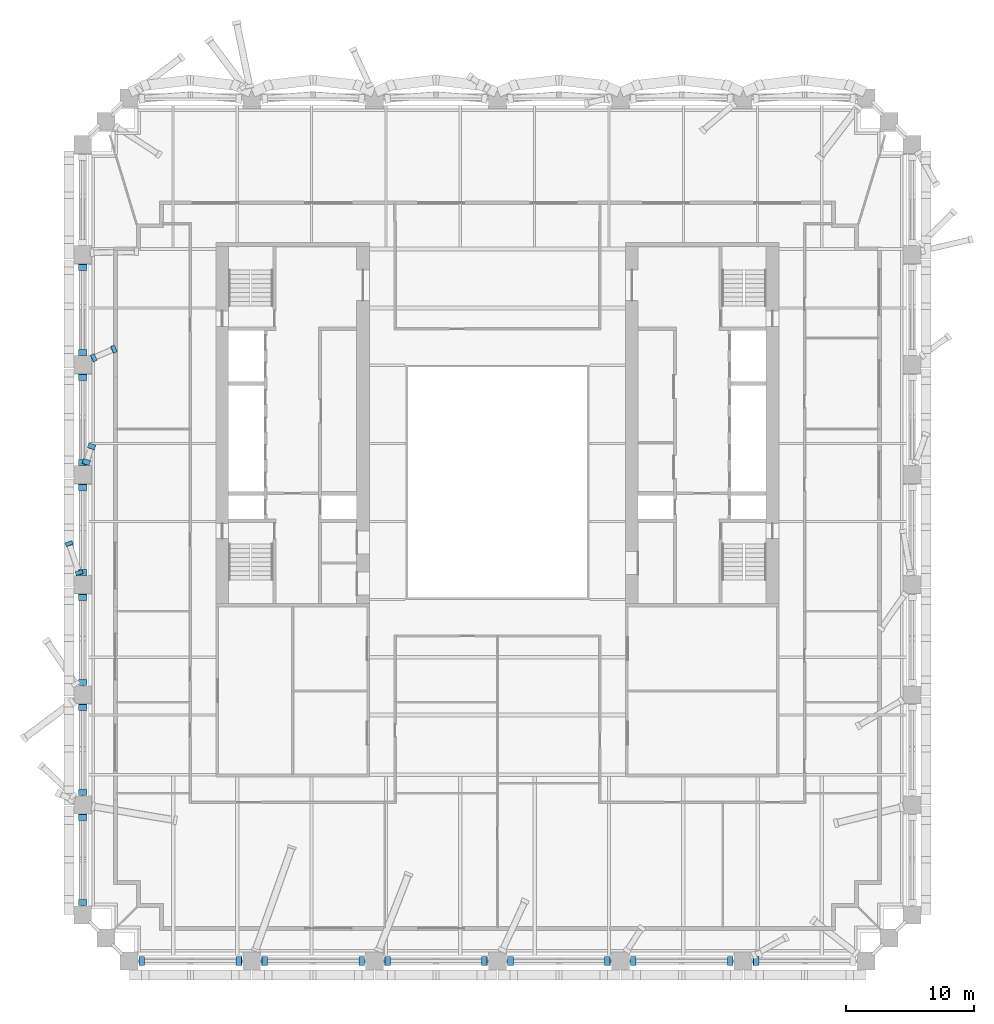
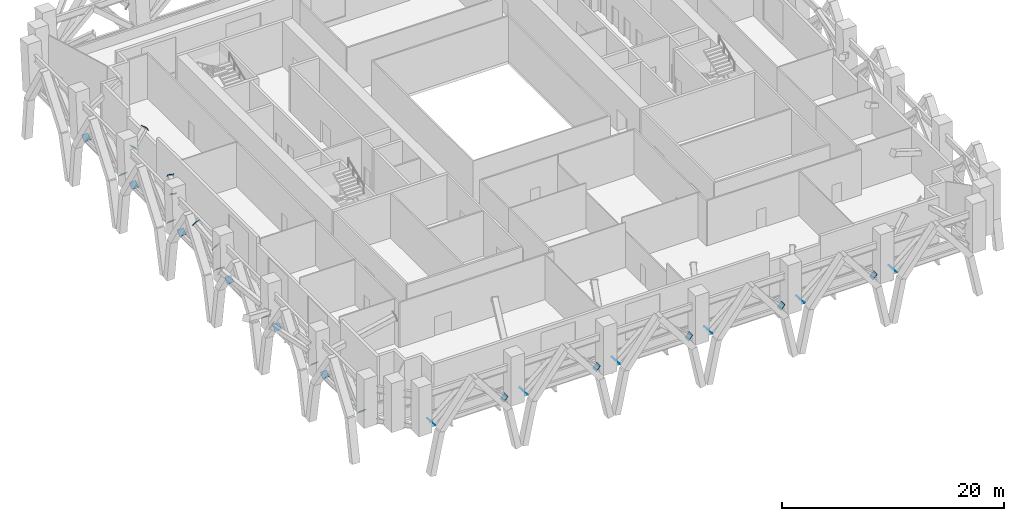
# One storey, part 14 of 19: 29 discrete accessories.
"""IFC4 building model written with IfcOpenShell, lengths in metres."""

from ifc_helpers import new_model, si_unit, direction, frame, origin, origin_2d, place, context, subcontext, project, spatial, rectangle, extrude, material, material_profile, profile_set, type_object, element, save


model = new_model("IFC4")

# Units and contexts
model_context = context("Model", 3, precision=1e-05, world=origin(), true_north=direction((0.0, 1.0)))
body_context = subcontext(model_context, "Body", "Model", "MODEL_VIEW")
ifc_project = project(units=[si_unit("LENGTHUNIT", "METRE"), si_unit("AREAUNIT", "SQUARE_METRE"), si_unit("VOLUMEUNIT", "CUBIC_METRE"), si_unit("PLANEANGLEUNIT", "RADIAN"), si_unit("MASSUNIT", "GRAM", prefix="KILO")], contexts=[model_context])

# Site, building, storey
site_placement = place(None, origin())
site = spatial("IfcSite", under=ifc_project, at=site_placement, CompositionType="ELEMENT")
building_placement = place(site_placement, origin())
building = spatial("IfcBuilding", under=site, at=building_placement, Name="Ogive Exchange Tower", CompositionType="ELEMENT")
storey_placement = place(building_placement, frame((0.0, 0.0, 94.199951171875)))
storey = spatial("IfcBuildingStorey", under=building, at=storey_placement, Name="L20", CompositionType="ELEMENT", Elevation=94.199951171875)

# Discrete accessories
ifc_material = material(Name="Steel ASTM A572 Gr50", Category="steel")
ifc_material_profile_1 = material_profile(ifc_material, rectangle(XDim=0.576904296875, YDim=0.576904296875, at=origin_2d()), Name="PL 577 x 577 x 25")
ifc_profile_set_1 = profile_set([ifc_material_profile_1], Name="Steel ASTM A572 Gr50")
discrete_accessory_type_1 = type_object("IfcDiscreteAccessoryType", Name="Gusset plate 577 x 577 x 25", PredefinedType="USERDEFINED", material=ifc_profile_set_1)
for number, where, z_axis, x_axis, name in (
    (1, (-31.555419921875, 16.731201171875, 3.56201171875), (0.757460069125, 0.330174901926, 0.56323953858), (-0.399585420514, 0.916695964708, 0.0), "Block-change strut 26 end plate A"),
    (2, (-29.98046875, 17.41162109375, 4.747802734375), (0.759864425503, 0.321481103098, 0.565027393323), (-0.389639990837, 0.920967251069, 0.0), "Block-change strut 26 end plate B"),
):
    element("IfcDiscreteAccessory", number, at=place(storey_placement, frame(where, z_axis=z_axis, x_axis=x_axis)), inside=storey, type_object=discrete_accessory_type_1, Name=name, ObjectType="GUSSET PLATE", PredefinedType="USERDEFINED", context=body_context, shape_type="SweptSolid", body=[
        extrude(rectangle(XDim=0.576904296875, YDim=0.576904296875, at=origin_2d()), origin(), (0.0, 0.0, 1.0), 0.025146484375),
    ])
discrete_accessory_1_placement = place(storey_placement, frame((-32.124755859375, 8.573486328125, 3.58154296875), z_axis=(0.235588674412, 0.696949828469, 0.677317438935), x_axis=(-0.947340570768, 0.32022779857, 0.0)))
element("IfcDiscreteAccessory", 3, at=discrete_accessory_1_placement, inside=storey, type_object=discrete_accessory_type_1, Name="Block-change strut 27 end plate A", ObjectType="GUSSET PLATE", PredefinedType="USERDEFINED", context=body_context, shape_type="SweptSolid", body=[
    extrude(rectangle(XDim=0.576904296875, YDim=0.576904296875, at=origin_2d()), origin(), (0.0, 0.0, 1.0), 0.02490234375),
])
discrete_accessory_2_placement = place(storey_placement, frame((-31.721923828125, 9.802001953125, 4.7646484375), z_axis=(0.23398215223, 0.701946456689, 0.67269868766), x_axis=(-0.948683298051, 0.316227766017, 0.0)))
element("IfcDiscreteAccessory", 4, at=discrete_accessory_2_placement, inside=storey, type_object=discrete_accessory_type_1, Name="Block-change strut 27 end plate B", ObjectType="GUSSET PLATE", PredefinedType="USERDEFINED", context=body_context, shape_type="SweptSolid", body=[
    extrude(rectangle(XDim=0.576904296875, YDim=0.576904296875, at=origin_2d()), origin(), (0.0, 0.0, 1.0), 0.025146484375),
])
for number, where, z_axis, x_axis, name in (
    (5, (-32.6875, -0.071044921875, 3.2548828125), (-0.274246333466, 0.80314997658, 0.528903643114), (-0.946349856068, -0.323143853292, 0.0), "Block-change strut 28 end plate A"),
    (6, (-33.4638671875, 2.199462890625, 4.74267578125), (-0.274246333466, 0.80314997658, 0.528903643114), (-0.946349856068, -0.323143853292, 0.0), "Block-change strut 28 end plate B"),
):
    element("IfcDiscreteAccessory", number, at=place(storey_placement, frame(where, z_axis=z_axis, x_axis=x_axis)), inside=storey, type_object=discrete_accessory_type_1, Name=name, ObjectType="GUSSET PLATE", PredefinedType="USERDEFINED", context=body_context, shape_type="SweptSolid", body=[
        extrude(rectangle(XDim=0.576904296875, YDim=0.576904296875, at=origin_2d()), origin(), (0.0, 0.0, 1.0), 0.02490234375),
    ])
ifc_material_profile_2 = material_profile(ifc_material, rectangle(XDim=0.678955078125, YDim=0.678955078125, at=origin_2d()), Name="PL 679 x 679 x 25")
ifc_profile_set_2 = profile_set([ifc_material_profile_2], Name="Steel ASTM A572 Gr50")
discrete_accessory_type_2 = type_object("IfcDiscreteAccessoryType", Name="Gusset plate 679 x 679 x 25", PredefinedType="USERDEFINED", material=ifc_profile_set_2)
for number, where, z_axis, x_axis, name in (
    (7, (-27.802001953125, -30.39990234375, 0.66796875), (0.763386285369, 0.0, 0.645942241466), (0.0, 1.0, 0.0), "Belt truss diagonal 1a end plate A"),
    (8, (-20.197998046875, -30.39990234375, 0.66796875), (-0.763386285369, 0.0, 0.645942241466), (0.0, -1.0, 0.0), "Belt truss diagonal 1b end plate A"),
    (9, (-18.2021484375, -30.39990234375, 0.66796875), (0.763386285369, 0.0, 0.645942241466), (0.0, 1.0, 0.0), "Belt truss diagonal 2a end plate A"),
    (10, (-10.597900390625, -30.39990234375, 0.66796875), (-0.763386285369, 0.0, 0.645942241466), (0.0, -1.0, 0.0), "Belt truss diagonal 2b end plate A"),
    (11, (-8.60205078125, -30.39990234375, 0.66796875), (0.763386285369, 0.0, 0.645942241466), (0.0, 1.0, 0.0), "Belt truss diagonal 3a end plate A"),
):
    element("IfcDiscreteAccessory", number, at=place(storey_placement, frame(where, z_axis=z_axis, x_axis=x_axis)), inside=storey, type_object=discrete_accessory_type_2, Name=name, ObjectType="GUSSET PLATE", PredefinedType="USERDEFINED", context=body_context, shape_type="SweptSolid", body=[
        extrude(rectangle(XDim=0.678955078125, YDim=0.678955078125, at=origin_2d()), origin(), (0.0, 0.0, 1.0), 0.02490234375),
    ])
for number, where, z_axis, x_axis, name in (
    (12, (-0.997802734375, -30.39990234375, 0.66796875), (-0.767424436745, 0.0, 0.64113940285), (0.0, -1.0, 0.0), "Belt truss diagonal 3b end plate A"),
    (13, (0.997802734375, -30.39990234375, 0.66796875), (0.767424436745, 0.0, 0.64113940285), (0.0, 1.0, 0.0), "Belt truss diagonal 4a end plate A"),
):
    element("IfcDiscreteAccessory", number, at=place(storey_placement, frame(where, z_axis=z_axis, x_axis=x_axis)), inside=storey, type_object=discrete_accessory_type_2, Name=name, ObjectType="GUSSET PLATE", PredefinedType="USERDEFINED", context=body_context, shape_type="SweptSolid", body=[
        extrude(rectangle(XDim=0.678955078125, YDim=0.678955078125, at=origin_2d()), origin(), (0.0, 0.0, 1.0), 0.025146484375),
    ])
for number, where, z_axis, x_axis, name in (
    (14, (8.60205078125, -30.39990234375, 0.66796875), (-0.763386285369, 0.0, 0.645942241466), (0.0, -1.0, 0.0), "Belt truss diagonal 4b end plate A"),
    (15, (10.597900390625, -30.39990234375, 0.66796875), (0.763386285369, 0.0, 0.645942241466), (0.0, 1.0, 0.0), "Belt truss diagonal 5a end plate A"),
    (16, (18.2021484375, -30.39990234375, 0.66796875), (-0.763386285369, 0.0, 0.645942241466), (0.0, -1.0, 0.0), "Belt truss diagonal 5b end plate A"),
    (17, (20.197998046875, -30.39990234375, 0.66796875), (0.763386285369, 0.0, 0.645942241466), (0.0, 1.0, 0.0), "Belt truss diagonal 6a end plate A"),
):
    element("IfcDiscreteAccessory", number, at=place(storey_placement, frame(where, z_axis=z_axis, x_axis=x_axis)), inside=storey, type_object=discrete_accessory_type_2, Name=name, ObjectType="GUSSET PLATE", PredefinedType="USERDEFINED", context=body_context, shape_type="SweptSolid", body=[
        extrude(rectangle(XDim=0.678955078125, YDim=0.678955078125, at=origin_2d()), origin(), (0.0, 0.0, 1.0), 0.02490234375),
    ])
for number, where, z_axis, x_axis, name in (
    (18, (-32.39990234375, 23.813232421875, 0.66796875), (0.0, -0.692328821796, 0.721582152295), (1.0, 0.0, 0.0), "Belt truss diagonal 27a end plate A"),
    (19, (-32.39990234375, 17.13916015625, 0.66796875), (0.0, 0.740380722285, 0.672187761022), (-1.0, 0.0, 0.0), "Belt truss diagonal 27b end plate A"),
    (20, (-32.39990234375, 15.2177734375, 0.66796875), (0.0, -0.702213483406, 0.711966448453), (1.0, 0.0, 0.0), "Belt truss diagonal 28a end plate A"),
    (21, (-32.39990234375, 8.54345703125, 0.66796875), (0.0, 0.740380722285, 0.672187761022), (-1.0, 0.0, 0.0), "Belt truss diagonal 28b end plate A"),
    (22, (-32.39990234375, 6.6220703125, 0.66796875), (0.0, -0.707106781187, 0.707106781187), (1.0, 0.0, 0.0), "Belt truss diagonal 29a end plate A"),
    (23, (-32.39990234375, -0.05224609375, 0.66796875), (0.0, 0.735545105159, 0.677475754752), (-1.0, 0.0, 0.0), "Belt truss diagonal 29b end plate A"),
    (24, (-32.39990234375, -1.9736328125, 0.66796875), (0.0, -0.711966448453, 0.702213483406), (1.0, 0.0, 0.0), "Belt truss diagonal 30a end plate A"),
    (25, (-32.39990234375, -8.647705078125, 0.66796875), (0.0, 0.731055268243, 0.68231825036), (-1.0, 0.0, 0.0), "Belt truss diagonal 30b end plate A"),
    (26, (-32.39990234375, -10.5693359375, 0.66796875), (0.0, -0.716725930909, 0.697354959803), (1.0, 0.0, 0.0), "Belt truss diagonal 31a end plate A"),
):
    element("IfcDiscreteAccessory", number, at=place(storey_placement, frame(where, z_axis=z_axis, x_axis=x_axis)), inside=storey, type_object=discrete_accessory_type_2, Name=name, ObjectType="GUSSET PLATE", PredefinedType="USERDEFINED", context=body_context, shape_type="SweptSolid", body=[
        extrude(rectangle(XDim=0.678955078125, YDim=0.678955078125, at=origin_2d()), origin(), (0.0, 0.0, 1.0), 0.025146484375),
    ])
discrete_accessory_3_placement = place(storey_placement, frame((-32.39990234375, -17.243408203125, 0.66796875), z_axis=(0.0, 0.726468416955, 0.687199853876), x_axis=(-1.0, 0.0, 0.0)))
element("IfcDiscreteAccessory", 27, at=discrete_accessory_3_placement, inside=storey, type_object=discrete_accessory_type_2, Name="Belt truss diagonal 31b end plate A", ObjectType="GUSSET PLATE", PredefinedType="USERDEFINED", context=body_context, shape_type="SweptSolid", body=[
    extrude(rectangle(XDim=0.678955078125, YDim=0.678955078125, at=origin_2d()), origin(), (0.0, 0.0, 1.0), 0.02490234375),
])
for number, where, z_axis, x_axis, name in (
    (28, (-32.39990234375, -19.1650390625, 0.66796875), (0.0, -0.716725930909, 0.697354959803), (1.0, 0.0, 0.0), "Belt truss diagonal 32a end plate A"),
    (29, (-32.39990234375, -25.839111328125, 0.66796875), (0.0, 0.721582152295, 0.692328821796), (-1.0, 0.0, 0.0), "Belt truss diagonal 32b end plate A"),
):
    element("IfcDiscreteAccessory", number, at=place(storey_placement, frame(where, z_axis=z_axis, x_axis=x_axis)), inside=storey, type_object=discrete_accessory_type_2, Name=name, ObjectType="GUSSET PLATE", PredefinedType="USERDEFINED", context=body_context, shape_type="SweptSolid", body=[
        extrude(rectangle(XDim=0.678955078125, YDim=0.678955078125, at=origin_2d()), origin(), (0.0, 0.0, 1.0), 0.025146484375),
    ])

save(model, "model.ifc")
